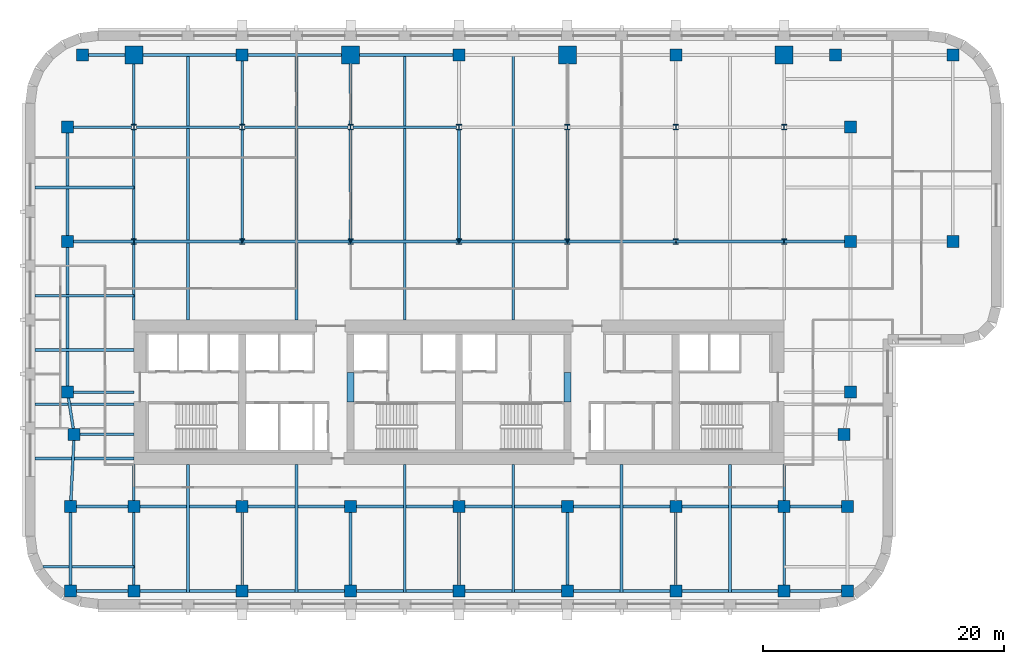
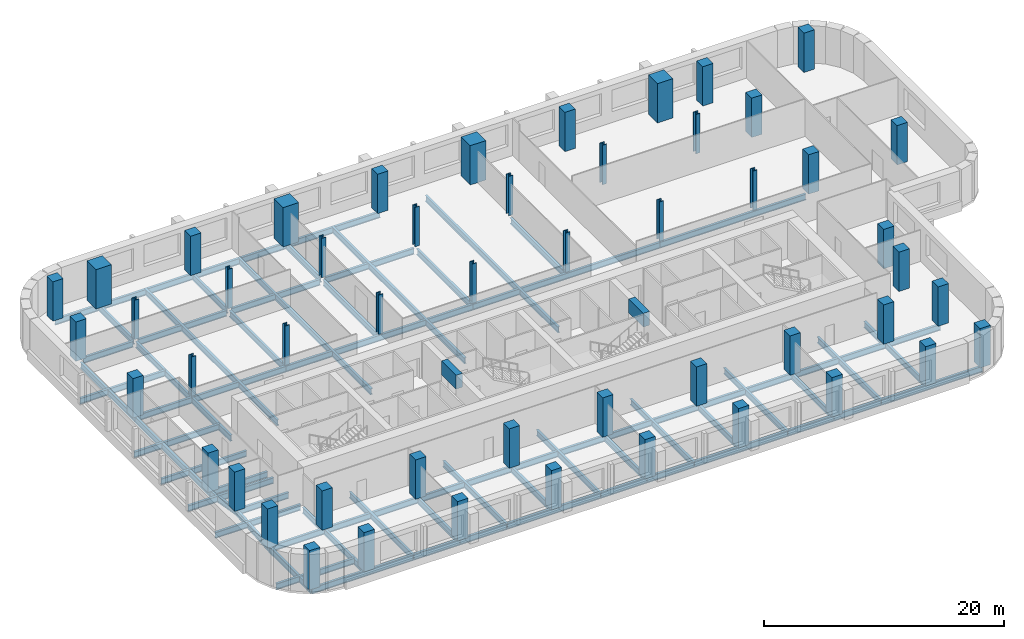
# One storey, part 1 of 9: 58 beams, 51 columns.
"""IFC4 building model written with IfcOpenShell, lengths in metres."""

from ifc_helpers import new_model, si_unit, direction, frame, origin, origin_2d, place, context, subcontext, project, spatial, rectangle, i_section, extrude, material, material_profile, profile_set, type_object, element, save


model = new_model("IFC4")

# Units and contexts
model_context = context("Model", 3, precision=1e-05, world=origin(), true_north=direction((0.0, 1.0)))
body_context = subcontext(model_context, "Body", "Model", "MODEL_VIEW")
ifc_project = project(units=[si_unit("LENGTHUNIT", "METRE"), si_unit("AREAUNIT", "SQUARE_METRE"), si_unit("VOLUMEUNIT", "CUBIC_METRE"), si_unit("PLANEANGLEUNIT", "RADIAN"), si_unit("MASSUNIT", "GRAM", prefix="KILO")], contexts=[model_context])

# Site, building, storey
site_placement = place(None, origin())
site = spatial("IfcSite", under=ifc_project, at=site_placement, CompositionType="ELEMENT")
building_placement = place(site_placement, origin())
building = spatial("IfcBuilding", under=site, at=building_placement, Name="Zellij Exchange Tower", CompositionType="ELEMENT")
storey_placement = place(building_placement, frame((0.0, 0.0, 116.5)))
storey = spatial("IfcBuildingStorey", under=building, at=storey_placement, Name="L25", CompositionType="ELEMENT", Elevation=116.5)

# Columns
ifc_material_1 = material(Name="Concrete C70/85", Category="concrete")
ifc_material_profile_1 = material_profile(ifc_material_1, rectangle(XDim=1.0, YDim=1.0, at=origin_2d()), Name="STR-COLUMN RC1000x1000 C70/85")
ifc_profile_set_1 = profile_set([ifc_material_profile_1], Name="Concrete C70/85")
column_type_1 = type_object("IfcColumnType", Name="STR-COLUMN RC1000x1000 C70/85", PredefinedType="COLUMN", material=ifc_profile_set_1)
for number, where, z_axis, x_axis, name in (
    (1, (-32.25, -24.5, 0.0), (0.0, 0.0, 1.0), (1.0, 0.0, 0.0), "C10"),
    (2, (-27.0, -24.5, 0.0), (0.0, 0.0, 1.0), (1.0, 0.0, 0.0), "C10"),
    (3, (-18.0, -24.5, 0.0), (0.0, 0.0, 1.0), (1.0, 0.0, 0.0), "C10"),
    (4, (-9.0, -24.5, 0.0), (0.0, 0.0, 1.0), (1.0, 0.0, 0.0), "C10"),
    (5, (0.0, -24.5, 0.0), (0.0, 0.0, 1.0), (1.0, 0.0, 0.0), "C10"),
    (6, (9.0, -24.5, 0.0), (0.0, 0.0, 1.0), (1.0, 0.0, 0.0), "C10"),
    (7, (18.0, -24.5, 0.0), (0.0, 0.0, 1.0), (1.0, 0.0, 0.0), "C10"),
    (8, (27.0, -24.5, 0.0), (0.0, 0.0, 1.0), (1.0, 0.0, 0.0), "C10"),
    (9, (32.25, -24.5, 0.0), (0.0, 0.0, 1.0), (1.0, 0.0, 0.0), "C10"),
    (10, (-32.25, -17.5, 0.0), (0.0, 0.0, 1.0), (1.0, 0.0, 0.0), "C10"),
    (11, (-27.0, -17.5, 0.0), (0.0, 0.0, 1.0), (1.0, 0.0, 0.0), "C10"),
    (12, (-18.0, -17.5, 0.0), (0.0, 0.0, 1.0), (1.0, 0.0, 0.0), "C10"),
    (13, (-9.0, -17.5, 0.0), (0.0, 0.0, 1.0), (1.0, 0.0, 0.0), "C10"),
    (14, (0.0, -17.5, 0.0), (0.0, 0.0, 1.0), (1.0, 0.0, 0.0), "C10"),
    (15, (9.0, -17.5, 0.0), (0.0, 0.0, 1.0), (1.0, 0.0, 0.0), "C10"),
    (16, (18.0, -17.5, 0.0), (0.0, 0.0, 1.0), (1.0, 0.0, 0.0), "C10"),
    (17, (27.0, -17.5, 0.0), (0.0, 0.0, 1.0), (1.0, 0.0, 0.0), "C10"),
    (18, (32.25, -17.5, 0.0), (0.0, 0.0, 1.0), (1.0, 0.0, 0.0), "C10"),
    (19, (-31.949951171875, -11.5, 0.0), (0.0, 0.0, 1.0), (1.0, 0.0, 0.0), "C10"),
    (20, (31.949951171875, -11.5, 0.0), (0.0, 0.0, 1.0), (1.0, 0.0, 0.0), "C10"),
    (21, (-32.5, -8.0, 0.0), (0.0, 0.0, 1.0), (1.0, 0.0, 0.0), "C10"),
    (22, (32.5, -8.0, 0.0), (0.0, 0.0, 1.0), (1.0, 0.0, 0.0), "C10"),
    (23, (-32.5, 4.5, 0.0), (0.0, 0.0, 1.0), (1.0, 0.0, 0.0), "C10"),
    (24, (32.5, 4.5, 0.0), (0.0, 0.0, 1.0), (1.0, 0.0, 0.0), "C10"),
    (25, (41.0, 4.5, 0.0), (0.0, 0.0, 1.0), (1.0, 0.0, 0.0), "C10"),
    (26, (-32.5, 14.0, 0.0), (0.0, 0.0, 1.0), (1.0, 0.0, 0.0), "C10"),
    (27, (32.5, 14.0, 0.0), (0.0, 0.0, 1.0), (1.0, 0.0, 0.0), "C10"),
    (28, (-31.25, 20.0, 0.0), (0.0, 0.0, 1.0), (1.0, 0.0, 0.0), "C10"),
    (29, (-18.0, 20.0, 0.0), (0.0, 0.0, 1.0), (1.0, 0.0, 0.0), "C10"),
    (30, (0.0, 20.0, 0.0), (0.0, 0.0, 1.0), (1.0, 0.0, 0.0), "C10"),
    (31, (18.0, 20.0, 0.0), (0.0, 0.0, 1.0), (1.0, 0.0, 0.0), "C10"),
    (32, (31.25, 20.0, 0.0), (0.0, 0.0, 1.0), (1.0, 0.0, 0.0), "C10"),
    (33, (41.0, 20.0, 0.0), (0.0, 0.0, 1.0), (1.0, 0.0, 0.0), "C10"),
):
    element("IfcColumn", number, at=place(storey_placement, frame(where, z_axis=z_axis, x_axis=x_axis)), inside=storey, type_object=column_type_1, Name=name, PredefinedType="COLUMN", context=body_context, shape_type="SweptSolid", body=[
        extrude(rectangle(XDim=1.0, YDim=1.0, at=origin_2d()), origin(), (0.0, 0.0, 1.0), 4.0),
    ])
ifc_material_2 = material(Name="Structural steel ASTM A913 Gr 65", Category="steel")
ifc_material_profile_2 = material_profile(ifc_material_2, i_section(OverallWidth=0.419189453125, OverallDepth=0.45458984375, WebThickness=0.042236328125, FlangeThickness=0.067626953125, at=origin_2d()), Name="W14x370")
ifc_profile_set_2 = profile_set([ifc_material_profile_2], Name="Structural steel ASTM A913 Gr 65")
column_type_2 = type_object("IfcColumnType", Name="STR-COLUMN W14x370", PredefinedType="COLUMN", material=ifc_profile_set_2)
for number, where, z_axis, x_axis, name in (
    (34, (-27.0, 4.5, 0.0), (0.0, 0.0, 1.0), (1.0, 0.0, 0.0), "C4"),
    (35, (-18.0, 4.5, 0.0), (0.0, 0.0, 1.0), (1.0, 0.0, 0.0), "C4"),
    (36, (-9.0, 4.5, 0.0), (0.0, 0.0, 1.0), (1.0, 0.0, 0.0), "C4"),
    (37, (0.0, 4.5, 0.0), (0.0, 0.0, 1.0), (1.0, 0.0, 0.0), "C4"),
    (38, (9.0, 4.5, 0.0), (0.0, 0.0, 1.0), (1.0, 0.0, 0.0), "C4"),
    (39, (18.0, 4.5, 0.0), (0.0, 0.0, 1.0), (1.0, 0.0, 0.0), "C4"),
    (40, (27.0, 4.5, 0.0), (0.0, 0.0, 1.0), (1.0, 0.0, 0.0), "C4"),
    (41, (-27.0, 14.0, 0.0), (0.0, 0.0, 1.0), (1.0, 0.0, 0.0), "C4"),
    (42, (-18.0, 14.0, 0.0), (0.0, 0.0, 1.0), (1.0, 0.0, 0.0), "C4"),
    (43, (-9.0, 14.0, 0.0), (0.0, 0.0, 1.0), (1.0, 0.0, 0.0), "C4"),
    (44, (0.0, 14.0, 0.0), (0.0, 0.0, 1.0), (1.0, 0.0, 0.0), "C4"),
    (45, (9.0, 14.0, 0.0), (0.0, 0.0, 1.0), (1.0, 0.0, 0.0), "C4"),
    (46, (18.0, 14.0, 0.0), (0.0, 0.0, 1.0), (1.0, 0.0, 0.0), "C4"),
    (47, (27.0, 14.0, 0.0), (0.0, 0.0, 1.0), (1.0, 0.0, 0.0), "C4"),
):
    element("IfcColumn", number, at=place(storey_placement, frame(where, z_axis=z_axis, x_axis=x_axis)), inside=storey, type_object=column_type_2, Name=name, PredefinedType="COLUMN", context=body_context, shape_type="SweptSolid", body=[
        extrude(i_section(OverallWidth=0.419189453125, OverallDepth=0.45458984375, WebThickness=0.042236328125, FlangeThickness=0.067626953125, at=origin_2d()), origin(), (0.0, 0.0, 1.0), 4.0),
    ])
ifc_material_profile_3 = material_profile(ifc_material_1, rectangle(XDim=1.5, YDim=1.5, at=origin_2d()), Name="STR-MEGA COLUMN RC1500x1500 C70/85")
ifc_profile_set_3 = profile_set([ifc_material_profile_3], Name="Concrete C70/85")
column_type_3 = type_object("IfcColumnType", Name="STR-MEGA COLUMN RC1500x1500 C70/85", PredefinedType="COLUMN", material=ifc_profile_set_3)
for number, where, z_axis, x_axis, name in (
    (48, (-27.0, 20.0, 0.0), (0.0, 0.0, 1.0), (1.0, 0.0, 0.0), "MC5"),
    (49, (-9.0, 20.0, 0.0), (0.0, 0.0, 1.0), (1.0, 0.0, 0.0), "MC5"),
    (50, (9.0, 20.0, 0.0), (0.0, 0.0, 1.0), (1.0, 0.0, 0.0), "MC5"),
    (51, (27.0, 20.0, 0.0), (0.0, 0.0, 1.0), (1.0, 0.0, 0.0), "MC5"),
):
    element("IfcColumn", number, at=place(storey_placement, frame(where, z_axis=z_axis, x_axis=x_axis)), inside=storey, type_object=column_type_3, Name=name, PredefinedType="COLUMN", context=body_context, shape_type="SweptSolid", body=[
        extrude(rectangle(XDim=1.5, YDim=1.5, at=origin_2d()), origin(), (0.0, 0.0, 1.0), 4.0),
    ])

# Beams
ifc_material_profile_4 = material_profile(ifc_material_1, rectangle(XDim=0.60009765625, YDim=1.39990234375, at=origin_2d()), Name="CORE-CB 600x1400 C70/85")
ifc_profile_set_4 = profile_set([ifc_material_profile_4], Name="Concrete C70/85")
beam_type_1 = type_object("IfcBeamType", Name="CORE-CB 600x1400 C70/85", PredefinedType="BEAM", material=ifc_profile_set_4)
for number, where, z_axis, x_axis, name in (
    (52, (-9.0, -8.800048828125, 3.10009765625), (0.0, 1.0, 0.0), (-1.0, 0.0, 0.0), "Core coupling beam x -9 L25"),
    (53, (9.0, -8.800048828125, 3.10009765625), (0.0, 1.0, 0.0), (-1.0, 0.0, 0.0), "Core coupling beam x 9 L25"),
):
    element("IfcBeam", number, at=place(storey_placement, frame(where, z_axis=z_axis, x_axis=x_axis)), inside=storey, type_object=beam_type_1, Name=name, PredefinedType="BEAM", context=body_context, shape_type="SweptSolid", body=[
        extrude(rectangle(XDim=0.60009765625, YDim=1.39990234375, at=origin_2d()), origin(), (0.0, 0.0, 1.0), 2.425048828125),
    ])
ifc_material_3 = material(Name="Structural steel ASTM A992 Gr 50", Category="steel")
ifc_material_profile_5 = material_profile(ifc_material_3, i_section(OverallWidth=0.227783203125, OverallDepth=0.60205078125, WebThickness=0.010498046875, FlangeThickness=0.014892578125, at=origin_2d()), Name="W24x68")
ifc_profile_set_5 = profile_set([ifc_material_profile_5], Name="Structural steel ASTM A992 Gr 50")
beam_type_2 = type_object("IfcBeamType", Name="STR-BEAM W24x68", PredefinedType="BEAM", material=ifc_profile_set_5)
beam_1_placement = place(storey_placement, frame((-22.5, -24.614501953125, -0.5009765625), z_axis=(0.0, 1.0, 0.0), x_axis=(-1.0, 0.0, 0.0)))
element("IfcBeam", 54, at=beam_1_placement, inside=storey, type_object=beam_type_2, Name="B5", PredefinedType="BEAM", context=body_context, shape_type="SweptSolid", body=[
    extrude(i_section(OverallWidth=0.227783203125, OverallDepth=0.60205078125, WebThickness=0.010498046875, FlangeThickness=0.014892578125, at=origin_2d()), origin(), (0.0, 0.0, 1.0), 10.614501953125),
])
beam_2_placement = place(storey_placement, frame((-22.5, -2.0, -0.5009765625), z_axis=(0.0, 1.0, 0.0), x_axis=(-1.0, 0.0, 0.0)))
element("IfcBeam", 55, at=beam_2_placement, inside=storey, type_object=beam_type_2, Name="B5", PredefinedType="BEAM", context=body_context, shape_type="SweptSolid", body=[
    extrude(i_section(OverallWidth=0.227783203125, OverallDepth=0.60205078125, WebThickness=0.010498046875, FlangeThickness=0.014892578125, at=origin_2d()), origin(), (0.0, 0.0, 1.0), 22.114501953125),
])
beam_3_placement = place(storey_placement, frame((-13.5, -24.614501953125, -0.5009765625), z_axis=(0.0, 1.0, 0.0), x_axis=(-1.0, 0.0, 0.0)))
element("IfcBeam", 56, at=beam_3_placement, inside=storey, type_object=beam_type_2, Name="B5", PredefinedType="BEAM", context=body_context, shape_type="SweptSolid", body=[
    extrude(i_section(OverallWidth=0.227783203125, OverallDepth=0.60205078125, WebThickness=0.010498046875, FlangeThickness=0.014892578125, at=origin_2d()), origin(), (0.0, 0.0, 1.0), 10.614501953125),
])
beam_4_placement = place(storey_placement, frame((-13.5, -2.0, -0.5009765625), z_axis=(0.0, 1.0, 0.0), x_axis=(-1.0, 0.0, 0.0)))
element("IfcBeam", 57, at=beam_4_placement, inside=storey, type_object=beam_type_2, Name="B5", PredefinedType="BEAM", context=body_context, shape_type="SweptSolid", body=[
    extrude(i_section(OverallWidth=0.227783203125, OverallDepth=0.60205078125, WebThickness=0.010498046875, FlangeThickness=0.014892578125, at=origin_2d()), origin(), (0.0, 0.0, 1.0), 22.114501953125),
])
beam_5_placement = place(storey_placement, frame((-4.5, -24.614501953125, -0.5009765625), z_axis=(0.0, 1.0, 0.0), x_axis=(-1.0, 0.0, 0.0)))
element("IfcBeam", 58, at=beam_5_placement, inside=storey, type_object=beam_type_2, Name="B5", PredefinedType="BEAM", context=body_context, shape_type="SweptSolid", body=[
    extrude(i_section(OverallWidth=0.227783203125, OverallDepth=0.60205078125, WebThickness=0.010498046875, FlangeThickness=0.014892578125, at=origin_2d()), origin(), (0.0, 0.0, 1.0), 10.614501953125),
])
beam_6_placement = place(storey_placement, frame((-4.5, -2.0, -0.5009765625), z_axis=(0.0, 1.0, 0.0), x_axis=(-1.0, 0.0, 0.0)))
element("IfcBeam", 59, at=beam_6_placement, inside=storey, type_object=beam_type_2, Name="B5", PredefinedType="BEAM", context=body_context, shape_type="SweptSolid", body=[
    extrude(i_section(OverallWidth=0.227783203125, OverallDepth=0.60205078125, WebThickness=0.010498046875, FlangeThickness=0.014892578125, at=origin_2d()), origin(), (0.0, 0.0, 1.0), 22.114501953125),
])
beam_7_placement = place(storey_placement, frame((4.5, -24.614501953125, -0.5009765625), z_axis=(0.0, 1.0, 0.0), x_axis=(-1.0, 0.0, 0.0)))
element("IfcBeam", 60, at=beam_7_placement, inside=storey, type_object=beam_type_2, Name="B5", PredefinedType="BEAM", context=body_context, shape_type="SweptSolid", body=[
    extrude(i_section(OverallWidth=0.227783203125, OverallDepth=0.60205078125, WebThickness=0.010498046875, FlangeThickness=0.014892578125, at=origin_2d()), origin(), (0.0, 0.0, 1.0), 10.614501953125),
])
beam_8_placement = place(storey_placement, frame((4.5, -2.0, -0.5009765625), z_axis=(0.0, 1.0, 0.0), x_axis=(-1.0, 0.0, 0.0)))
element("IfcBeam", 61, at=beam_8_placement, inside=storey, type_object=beam_type_2, Name="B5", PredefinedType="BEAM", context=body_context, shape_type="SweptSolid", body=[
    extrude(i_section(OverallWidth=0.227783203125, OverallDepth=0.60205078125, WebThickness=0.010498046875, FlangeThickness=0.014892578125, at=origin_2d()), origin(), (0.0, 0.0, 1.0), 22.114501953125),
])
for number, where, z_axis, x_axis, name in (
    (62, (13.5, -24.614501953125, -0.5009765625), (0.0, 1.0, 0.0), (-1.0, 0.0, 0.0), "B5"),
    (63, (22.5, -24.614501953125, -0.5009765625), (0.0, 1.0, 0.0), (-1.0, 0.0, 0.0), "B5"),
):
    element("IfcBeam", number, at=place(storey_placement, frame(where, z_axis=z_axis, x_axis=x_axis)), inside=storey, type_object=beam_type_2, Name=name, PredefinedType="BEAM", context=body_context, shape_type="SweptSolid", body=[
        extrude(i_section(OverallWidth=0.227783203125, OverallDepth=0.60205078125, WebThickness=0.010498046875, FlangeThickness=0.014892578125, at=origin_2d()), origin(), (0.0, 0.0, 1.0), 10.614501953125),
    ])
beam_9_placement = place(storey_placement, frame((-34.537109375, -22.5, -0.5009765625), z_axis=(1.0, 0.0, 0.0), x_axis=(0.0, 1.0, 0.0)))
element("IfcBeam", 64, at=beam_9_placement, inside=storey, type_object=beam_type_2, Name="B5", PredefinedType="BEAM", context=body_context, shape_type="SweptSolid", body=[
    extrude(i_section(OverallWidth=0.227783203125, OverallDepth=0.60205078125, WebThickness=0.010498046875, FlangeThickness=0.014892578125, at=origin_2d()), origin(), (0.0, 0.0, 1.0), 7.537109375),
])
for number, where, z_axis, x_axis, name in (
    (65, (-35.199951171875, -13.5, -0.5009765625), (1.0, 0.0, 0.0), (0.0, 1.0, 0.0), "B5"),
    (66, (-35.199951171875, -9.0, -0.5009765625), (1.0, 0.0, 0.0), (0.0, 1.0, 0.0), "B5"),
    (67, (-35.199951171875, -4.5, -0.5009765625), (1.0, 0.0, 0.0), (0.0, 1.0, 0.0), "B5"),
    (68, (-35.199951171875, 0.0, -0.5009765625), (1.0, 0.0, 0.0), (0.0, 1.0, 0.0), "B5"),
    (69, (-35.199951171875, 9.0, -0.5009765625), (1.0, 0.0, 0.0), (0.0, 1.0, 0.0), "B5"),
):
    element("IfcBeam", number, at=place(storey_placement, frame(where, z_axis=z_axis, x_axis=x_axis)), inside=storey, type_object=beam_type_2, Name=name, PredefinedType="BEAM", context=body_context, shape_type="SweptSolid", body=[
        extrude(i_section(OverallWidth=0.227783203125, OverallDepth=0.60205078125, WebThickness=0.010498046875, FlangeThickness=0.014892578125, at=origin_2d()), origin(), (0.0, 0.0, 1.0), 8.199951171875),
    ])
ifc_material_profile_6 = material_profile(ifc_material_3, i_section(OverallWidth=0.22900390625, OverallDepth=0.612060546875, WebThickness=0.011962890625, FlangeThickness=0.01953125, at=origin_2d()), Name="W24x84")
ifc_profile_set_6 = profile_set([ifc_material_profile_6], Name="Structural steel ASTM A992 Gr 50")
beam_type_3 = type_object("IfcBeamType", Name="STR-EDGE GIRDER W24x84", PredefinedType="BEAM", material=ifc_profile_set_6)
beam_10_placement = place(storey_placement, frame((-32.25, -24.5, -0.506103515625), z_axis=(0.0, 1.0, 0.0), x_axis=(-1.0, 0.0, 0.0)))
element("IfcBeam", 70, at=beam_10_placement, inside=storey, type_object=beam_type_3, Name="EB6", PredefinedType="BEAM", context=body_context, shape_type="SweptSolid", body=[
    extrude(i_section(OverallWidth=0.22900390625, OverallDepth=0.612060546875, WebThickness=0.011962890625, FlangeThickness=0.01953125, at=origin_2d()), origin(), (0.0, 0.0, 1.0), 7.0),
])
beam_11_placement = place(storey_placement, frame((-32.25, -17.5, -0.506103515625), z_axis=(0.049945724537, 0.998751933465, 0.0), x_axis=(-0.998751933465, 0.049945724537, 0.0)))
element("IfcBeam", 71, at=beam_11_placement, inside=storey, type_object=beam_type_3, Name="EB6", PredefinedType="BEAM", context=body_context, shape_type="SweptSolid", body=[
    extrude(i_section(OverallWidth=0.22900390625, OverallDepth=0.612060546875, WebThickness=0.011962890625, FlangeThickness=0.01953125, at=origin_2d()), origin(), (0.0, 0.0, 1.0), 6.007568359375),
])
beam_12_placement = place(storey_placement, frame((-31.949951171875, -11.5, -0.506103515625), z_axis=(-0.155251283593, 0.987875011802, 0.0), x_axis=(-0.987875011802, -0.155251283593, 0.0)))
element("IfcBeam", 72, at=beam_12_placement, inside=storey, type_object=beam_type_3, Name="EB6", PredefinedType="BEAM", context=body_context, shape_type="SweptSolid", body=[
    extrude(i_section(OverallWidth=0.22900390625, OverallDepth=0.612060546875, WebThickness=0.011962890625, FlangeThickness=0.01953125, at=origin_2d()), origin(), (0.0, 0.0, 1.0), 3.54296875),
])
beam_13_placement = place(storey_placement, frame((-32.5, -8.0, -0.506103515625), z_axis=(0.0, 1.0, 0.0), x_axis=(-1.0, 0.0, 0.0)))
element("IfcBeam", 73, at=beam_13_placement, inside=storey, type_object=beam_type_3, Name="EB6", PredefinedType="BEAM", context=body_context, shape_type="SweptSolid", body=[
    extrude(i_section(OverallWidth=0.22900390625, OverallDepth=0.612060546875, WebThickness=0.011962890625, FlangeThickness=0.01953125, at=origin_2d()), origin(), (0.0, 0.0, 1.0), 12.5),
])
beam_14_placement = place(storey_placement, frame((-32.5, 4.5, -0.506103515625), z_axis=(0.0, 1.0, 0.0), x_axis=(-1.0, 0.0, 0.0)))
element("IfcBeam", 74, at=beam_14_placement, inside=storey, type_object=beam_type_3, Name="EB6", PredefinedType="BEAM", context=body_context, shape_type="SweptSolid", body=[
    extrude(i_section(OverallWidth=0.22900390625, OverallDepth=0.612060546875, WebThickness=0.011962890625, FlangeThickness=0.01953125, at=origin_2d()), origin(), (0.0, 0.0, 1.0), 9.0),
])
ifc_material_profile_7 = material_profile(ifc_material_3, i_section(OverallWidth=0.22900390625, OverallDepth=0.612060546875, WebThickness=0.011962890625, FlangeThickness=0.01953125, at=origin_2d()), Name="W24x84")
ifc_profile_set_7 = profile_set([ifc_material_profile_7], Name="Structural steel ASTM A992 Gr 50")
beam_type_4 = type_object("IfcBeamType", Name="STR-GIRDER W24x84", PredefinedType="BEAM", material=ifc_profile_set_7)
beam_15_placement = place(storey_placement, frame((-32.25, -24.5, -0.506103515625), z_axis=(1.0, 0.0, 0.0), x_axis=(0.0, 1.0, 0.0)))
element("IfcBeam", 75, at=beam_15_placement, inside=storey, type_object=beam_type_4, Name="G4", PredefinedType="BEAM", context=body_context, shape_type="SweptSolid", body=[
    extrude(i_section(OverallWidth=0.22900390625, OverallDepth=0.612060546875, WebThickness=0.011962890625, FlangeThickness=0.01953125, at=origin_2d()), origin(), (0.0, 0.0, 1.0), 14.25),
])
for number, where, z_axis, x_axis, name in (
    (76, (-18.0, -24.5, -0.506103515625), (1.0, 0.0, 0.0), (0.0, 1.0, 0.0), "G4"),
    (77, (0.0, -24.5, -0.506103515625), (1.0, 0.0, 0.0), (0.0, 1.0, 0.0), "G4"),
):
    element("IfcBeam", number, at=place(storey_placement, frame(where, z_axis=z_axis, x_axis=x_axis)), inside=storey, type_object=beam_type_4, Name=name, PredefinedType="BEAM", context=body_context, shape_type="SweptSolid", body=[
        extrude(i_section(OverallWidth=0.22900390625, OverallDepth=0.612060546875, WebThickness=0.011962890625, FlangeThickness=0.01953125, at=origin_2d()), origin(), (0.0, 0.0, 1.0), 18.0),
    ])
for number, where, z_axis, x_axis, name in (
    (78, (18.0, -24.5, -0.506103515625), (1.0, 0.0, 0.0), (0.0, 1.0, 0.0), "G4"),
    (79, (-32.25, -17.5, -0.506103515625), (1.0, 0.0, 0.0), (0.0, 1.0, 0.0), "G4"),
):
    element("IfcBeam", number, at=place(storey_placement, frame(where, z_axis=z_axis, x_axis=x_axis)), inside=storey, type_object=beam_type_4, Name=name, PredefinedType="BEAM", context=body_context, shape_type="SweptSolid", body=[
        extrude(i_section(OverallWidth=0.22900390625, OverallDepth=0.612060546875, WebThickness=0.011962890625, FlangeThickness=0.01953125, at=origin_2d()), origin(), (0.0, 0.0, 1.0), 14.25),
    ])
for number, where, z_axis, x_axis, name in (
    (80, (-18.0, -17.5, -0.506103515625), (1.0, 0.0, 0.0), (0.0, 1.0, 0.0), "G4"),
    (81, (0.0, -17.5, -0.506103515625), (1.0, 0.0, 0.0), (0.0, 1.0, 0.0), "G4"),
):
    element("IfcBeam", number, at=place(storey_placement, frame(where, z_axis=z_axis, x_axis=x_axis)), inside=storey, type_object=beam_type_4, Name=name, PredefinedType="BEAM", context=body_context, shape_type="SweptSolid", body=[
        extrude(i_section(OverallWidth=0.22900390625, OverallDepth=0.612060546875, WebThickness=0.011962890625, FlangeThickness=0.01953125, at=origin_2d()), origin(), (0.0, 0.0, 1.0), 18.0),
    ])
beam_16_placement = place(storey_placement, frame((18.0, -17.5, -0.506103515625), z_axis=(1.0, 0.0, 0.0), x_axis=(0.0, 1.0, 0.0)))
element("IfcBeam", 82, at=beam_16_placement, inside=storey, type_object=beam_type_4, Name="G4", PredefinedType="BEAM", context=body_context, shape_type="SweptSolid", body=[
    extrude(i_section(OverallWidth=0.22900390625, OverallDepth=0.612060546875, WebThickness=0.011962890625, FlangeThickness=0.01953125, at=origin_2d()), origin(), (0.0, 0.0, 1.0), 14.25),
])
beam_17_placement = place(storey_placement, frame((-31.949951171875, -11.5, -0.506103515625), z_axis=(1.0, 0.0, 0.0), x_axis=(0.0, 1.0, 0.0)))
element("IfcBeam", 83, at=beam_17_placement, inside=storey, type_object=beam_type_4, Name="G4", PredefinedType="BEAM", context=body_context, shape_type="SweptSolid", body=[
    extrude(i_section(OverallWidth=0.22900390625, OverallDepth=0.612060546875, WebThickness=0.011962890625, FlangeThickness=0.01953125, at=origin_2d()), origin(), (0.0, 0.0, 1.0), 4.949951171875),
])
beam_18_placement = place(storey_placement, frame((-32.5, -8.0, -0.506103515625), z_axis=(1.0, 0.0, 0.0), x_axis=(0.0, 1.0, 0.0)))
element("IfcBeam", 84, at=beam_18_placement, inside=storey, type_object=beam_type_4, Name="G4", PredefinedType="BEAM", context=body_context, shape_type="SweptSolid", body=[
    extrude(i_section(OverallWidth=0.22900390625, OverallDepth=0.612060546875, WebThickness=0.011962890625, FlangeThickness=0.01953125, at=origin_2d()), origin(), (0.0, 0.0, 1.0), 5.5),
])
beam_19_placement = place(storey_placement, frame((-32.5, 4.5, -0.506103515625), z_axis=(1.0, 0.0, 0.0), x_axis=(0.0, 1.0, 0.0)))
element("IfcBeam", 85, at=beam_19_placement, inside=storey, type_object=beam_type_4, Name="G4", PredefinedType="BEAM", context=body_context, shape_type="SweptSolid", body=[
    extrude(i_section(OverallWidth=0.22900390625, OverallDepth=0.612060546875, WebThickness=0.011962890625, FlangeThickness=0.01953125, at=origin_2d()), origin(), (0.0, 0.0, 1.0), 14.5),
])
for number, where, z_axis, x_axis, name in (
    (86, (-18.0, 4.5, -0.506103515625), (1.0, 0.0, 0.0), (0.0, 1.0, 0.0), "G4"),
    (87, (0.0, 4.5, -0.506103515625), (1.0, 0.0, 0.0), (0.0, 1.0, 0.0), "G4"),
):
    element("IfcBeam", number, at=place(storey_placement, frame(where, z_axis=z_axis, x_axis=x_axis)), inside=storey, type_object=beam_type_4, Name=name, PredefinedType="BEAM", context=body_context, shape_type="SweptSolid", body=[
        extrude(i_section(OverallWidth=0.22900390625, OverallDepth=0.612060546875, WebThickness=0.011962890625, FlangeThickness=0.01953125, at=origin_2d()), origin(), (0.0, 0.0, 1.0), 18.0),
    ])
beam_20_placement = place(storey_placement, frame((18.0, 4.5, -0.506103515625), z_axis=(1.0, 0.0, 0.0), x_axis=(0.0, 1.0, 0.0)))
element("IfcBeam", 88, at=beam_20_placement, inside=storey, type_object=beam_type_4, Name="G4", PredefinedType="BEAM", context=body_context, shape_type="SweptSolid", body=[
    extrude(i_section(OverallWidth=0.22900390625, OverallDepth=0.612060546875, WebThickness=0.011962890625, FlangeThickness=0.01953125, at=origin_2d()), origin(), (0.0, 0.0, 1.0), 14.0),
])
beam_21_placement = place(storey_placement, frame((-32.0, 14.0, -0.506103515625), z_axis=(1.0, 0.0, 0.0), x_axis=(0.0, 1.0, 0.0)))
element("IfcBeam", 89, at=beam_21_placement, inside=storey, type_object=beam_type_4, Name="G4", PredefinedType="BEAM", context=body_context, shape_type="SweptSolid", body=[
    extrude(i_section(OverallWidth=0.22900390625, OverallDepth=0.612060546875, WebThickness=0.011962890625, FlangeThickness=0.01953125, at=origin_2d()), origin(), (0.0, 0.0, 1.0), 4.790283203125),
])
for number, where, z_axis, x_axis, name in (
    (90, (-26.790283203125, 14.0, -0.506103515625), (1.0, 0.0, 0.0), (0.0, 1.0, 0.0), "G4"),
    (91, (-17.790283203125, 14.0, -0.506103515625), (1.0, 0.0, 0.0), (0.0, 1.0, 0.0), "G4"),
):
    element("IfcBeam", number, at=place(storey_placement, frame(where, z_axis=z_axis, x_axis=x_axis)), inside=storey, type_object=beam_type_4, Name=name, PredefinedType="BEAM", context=body_context, shape_type="SweptSolid", body=[
        extrude(i_section(OverallWidth=0.22900390625, OverallDepth=0.612060546875, WebThickness=0.011962890625, FlangeThickness=0.01953125, at=origin_2d()), origin(), (0.0, 0.0, 1.0), 8.58056640625),
    ])
beam_22_placement = place(storey_placement, frame((-8.790283203125, 14.0, -0.506103515625), z_axis=(1.0, 0.0, 0.0), x_axis=(0.0, 1.0, 0.0)))
element("IfcBeam", 92, at=beam_22_placement, inside=storey, type_object=beam_type_4, Name="G4", PredefinedType="BEAM", context=body_context, shape_type="SweptSolid", body=[
    extrude(i_section(OverallWidth=0.22900390625, OverallDepth=0.612060546875, WebThickness=0.011962890625, FlangeThickness=0.01953125, at=origin_2d()), origin(), (0.0, 0.0, 1.0), 8.580810546875),
])
beam_23_placement = place(storey_placement, frame((-31.25, 20.0, -0.506103515625), z_axis=(1.0, 0.0, 0.0), x_axis=(0.0, 1.0, 0.0)))
element("IfcBeam", 93, at=beam_23_placement, inside=storey, type_object=beam_type_4, Name="G4", PredefinedType="BEAM", context=body_context, shape_type="SweptSolid", body=[
    extrude(i_section(OverallWidth=0.22900390625, OverallDepth=0.612060546875, WebThickness=0.011962890625, FlangeThickness=0.01953125, at=origin_2d()), origin(), (0.0, 0.0, 1.0), 13.25),
])
beam_24_placement = place(storey_placement, frame((-18.0, 20.0, -0.506103515625), z_axis=(1.0, 0.0, 0.0), x_axis=(0.0, 1.0, 0.0)))
element("IfcBeam", 94, at=beam_24_placement, inside=storey, type_object=beam_type_4, Name="G4", PredefinedType="BEAM", context=body_context, shape_type="SweptSolid", body=[
    extrude(i_section(OverallWidth=0.22900390625, OverallDepth=0.612060546875, WebThickness=0.011962890625, FlangeThickness=0.01953125, at=origin_2d()), origin(), (0.0, 0.0, 1.0), 18.0),
])
beam_25_placement = place(storey_placement, frame((-27.0, -24.5, -0.506103515625), z_axis=(0.0, 1.0, 0.0), x_axis=(-1.0, 0.0, 0.0)))
element("IfcBeam", 95, at=beam_25_placement, inside=storey, type_object=beam_type_4, Name="G4", PredefinedType="BEAM", context=body_context, shape_type="SweptSolid", body=[
    extrude(i_section(OverallWidth=0.22900390625, OverallDepth=0.612060546875, WebThickness=0.011962890625, FlangeThickness=0.01953125, at=origin_2d()), origin(), (0.0, 0.0, 1.0), 10.5),
])
beam_26_placement = place(storey_placement, frame((-27.0, -2.0, -0.506103515625), z_axis=(0.0, 1.0, 0.0), x_axis=(-1.0, 0.0, 0.0)))
element("IfcBeam", 96, at=beam_26_placement, inside=storey, type_object=beam_type_4, Name="G4", PredefinedType="BEAM", context=body_context, shape_type="SweptSolid", body=[
    extrude(i_section(OverallWidth=0.22900390625, OverallDepth=0.612060546875, WebThickness=0.011962890625, FlangeThickness=0.01953125, at=origin_2d()), origin(), (0.0, 0.0, 1.0), 15.772705078125),
])
beam_27_placement = place(storey_placement, frame((-27.0, 14.227294921875, -0.506103515625), z_axis=(0.0, 1.0, 0.0), x_axis=(-1.0, 0.0, 0.0)))
element("IfcBeam", 97, at=beam_27_placement, inside=storey, type_object=beam_type_4, Name="G4", PredefinedType="BEAM", context=body_context, shape_type="SweptSolid", body=[
    extrude(i_section(OverallWidth=0.22900390625, OverallDepth=0.612060546875, WebThickness=0.011962890625, FlangeThickness=0.01953125, at=origin_2d()), origin(), (0.0, 0.0, 1.0), 5.772705078125),
])
beam_28_placement = place(storey_placement, frame((-18.0, -24.5, -0.506103515625), z_axis=(0.0, 1.0, 0.0), x_axis=(-1.0, 0.0, 0.0)))
element("IfcBeam", 98, at=beam_28_placement, inside=storey, type_object=beam_type_4, Name="G4", PredefinedType="BEAM", context=body_context, shape_type="SweptSolid", body=[
    extrude(i_section(OverallWidth=0.22900390625, OverallDepth=0.612060546875, WebThickness=0.011962890625, FlangeThickness=0.01953125, at=origin_2d()), origin(), (0.0, 0.0, 1.0), 7.0),
])
beam_29_placement = place(storey_placement, frame((-18.0, 4.5, -0.506103515625), z_axis=(0.0, 1.0, 0.0), x_axis=(-1.0, 0.0, 0.0)))
element("IfcBeam", 99, at=beam_29_placement, inside=storey, type_object=beam_type_4, Name="G4", PredefinedType="BEAM", context=body_context, shape_type="SweptSolid", body=[
    extrude(i_section(OverallWidth=0.22900390625, OverallDepth=0.612060546875, WebThickness=0.011962890625, FlangeThickness=0.01953125, at=origin_2d()), origin(), (0.0, 0.0, 1.0), 9.272705078125),
])
beam_30_placement = place(storey_placement, frame((-18.0, 14.227294921875, -0.506103515625), z_axis=(0.0, 1.0, 0.0), x_axis=(-1.0, 0.0, 0.0)))
element("IfcBeam", 100, at=beam_30_placement, inside=storey, type_object=beam_type_4, Name="G4", PredefinedType="BEAM", context=body_context, shape_type="SweptSolid", body=[
    extrude(i_section(OverallWidth=0.22900390625, OverallDepth=0.612060546875, WebThickness=0.011962890625, FlangeThickness=0.01953125, at=origin_2d()), origin(), (0.0, 0.0, 1.0), 5.772705078125),
])
beam_31_placement = place(storey_placement, frame((-9.0, -24.5, -0.506103515625), z_axis=(0.0, 1.0, 0.0), x_axis=(-1.0, 0.0, 0.0)))
element("IfcBeam", 101, at=beam_31_placement, inside=storey, type_object=beam_type_4, Name="G4", PredefinedType="BEAM", context=body_context, shape_type="SweptSolid", body=[
    extrude(i_section(OverallWidth=0.22900390625, OverallDepth=0.612060546875, WebThickness=0.011962890625, FlangeThickness=0.01953125, at=origin_2d()), origin(), (0.0, 0.0, 1.0), 7.0),
])
beam_32_placement = place(storey_placement, frame((-9.0, 4.5, -0.506103515625), z_axis=(0.0, 1.0, 0.0), x_axis=(-1.0, 0.0, 0.0)))
element("IfcBeam", 102, at=beam_32_placement, inside=storey, type_object=beam_type_4, Name="G4", PredefinedType="BEAM", context=body_context, shape_type="SweptSolid", body=[
    extrude(i_section(OverallWidth=0.22900390625, OverallDepth=0.612060546875, WebThickness=0.011962890625, FlangeThickness=0.01953125, at=origin_2d()), origin(), (0.0, 0.0, 1.0), 9.272705078125),
])
beam_33_placement = place(storey_placement, frame((-9.0, 14.227294921875, -0.506103515625), z_axis=(0.0, 1.0, 0.0), x_axis=(-1.0, 0.0, 0.0)))
element("IfcBeam", 103, at=beam_33_placement, inside=storey, type_object=beam_type_4, Name="G4", PredefinedType="BEAM", context=body_context, shape_type="SweptSolid", body=[
    extrude(i_section(OverallWidth=0.22900390625, OverallDepth=0.612060546875, WebThickness=0.011962890625, FlangeThickness=0.01953125, at=origin_2d()), origin(), (0.0, 0.0, 1.0), 5.772705078125),
])
beam_34_placement = place(storey_placement, frame((0.0, -24.5, -0.506103515625), z_axis=(0.0, 1.0, 0.0), x_axis=(-1.0, 0.0, 0.0)))
element("IfcBeam", 104, at=beam_34_placement, inside=storey, type_object=beam_type_4, Name="G4", PredefinedType="BEAM", context=body_context, shape_type="SweptSolid", body=[
    extrude(i_section(OverallWidth=0.22900390625, OverallDepth=0.612060546875, WebThickness=0.011962890625, FlangeThickness=0.01953125, at=origin_2d()), origin(), (0.0, 0.0, 1.0), 7.0),
])
beam_35_placement = place(storey_placement, frame((0.0, 4.5, -0.506103515625), z_axis=(0.0, 1.0, 0.0), x_axis=(-1.0, 0.0, 0.0)))
element("IfcBeam", 105, at=beam_35_placement, inside=storey, type_object=beam_type_4, Name="G4", PredefinedType="BEAM", context=body_context, shape_type="SweptSolid", body=[
    extrude(i_section(OverallWidth=0.22900390625, OverallDepth=0.612060546875, WebThickness=0.011962890625, FlangeThickness=0.01953125, at=origin_2d()), origin(), (0.0, 0.0, 1.0), 9.272705078125),
])
beam_36_placement = place(storey_placement, frame((9.0, -24.5, -0.506103515625), z_axis=(0.0, 1.0, 0.0), x_axis=(-1.0, 0.0, 0.0)))
element("IfcBeam", 106, at=beam_36_placement, inside=storey, type_object=beam_type_4, Name="G4", PredefinedType="BEAM", context=body_context, shape_type="SweptSolid", body=[
    extrude(i_section(OverallWidth=0.22900390625, OverallDepth=0.612060546875, WebThickness=0.011962890625, FlangeThickness=0.01953125, at=origin_2d()), origin(), (0.0, 0.0, 1.0), 7.0),
])
beam_37_placement = place(storey_placement, frame((9.0, 4.5, -0.506103515625), z_axis=(0.0, 1.0, 0.0), x_axis=(-1.0, 0.0, 0.0)))
element("IfcBeam", 107, at=beam_37_placement, inside=storey, type_object=beam_type_4, Name="G4", PredefinedType="BEAM", context=body_context, shape_type="SweptSolid", body=[
    extrude(i_section(OverallWidth=0.22900390625, OverallDepth=0.612060546875, WebThickness=0.011962890625, FlangeThickness=0.01953125, at=origin_2d()), origin(), (0.0, 0.0, 1.0), 9.272705078125),
])
beam_38_placement = place(storey_placement, frame((18.0, -24.5, -0.506103515625), z_axis=(0.0, 1.0, 0.0), x_axis=(-1.0, 0.0, 0.0)))
element("IfcBeam", 108, at=beam_38_placement, inside=storey, type_object=beam_type_4, Name="G4", PredefinedType="BEAM", context=body_context, shape_type="SweptSolid", body=[
    extrude(i_section(OverallWidth=0.22900390625, OverallDepth=0.612060546875, WebThickness=0.011962890625, FlangeThickness=0.01953125, at=origin_2d()), origin(), (0.0, 0.0, 1.0), 7.0),
])
beam_39_placement = place(storey_placement, frame((27.0, -24.5, -0.506103515625), z_axis=(0.0, 1.0, 0.0), x_axis=(-1.0, 0.0, 0.0)))
element("IfcBeam", 109, at=beam_39_placement, inside=storey, type_object=beam_type_4, Name="G4", PredefinedType="BEAM", context=body_context, shape_type="SweptSolid", body=[
    extrude(i_section(OverallWidth=0.22900390625, OverallDepth=0.612060546875, WebThickness=0.011962890625, FlangeThickness=0.01953125, at=origin_2d()), origin(), (0.0, 0.0, 1.0), 10.5),
])

save(model, "model.ifc")
